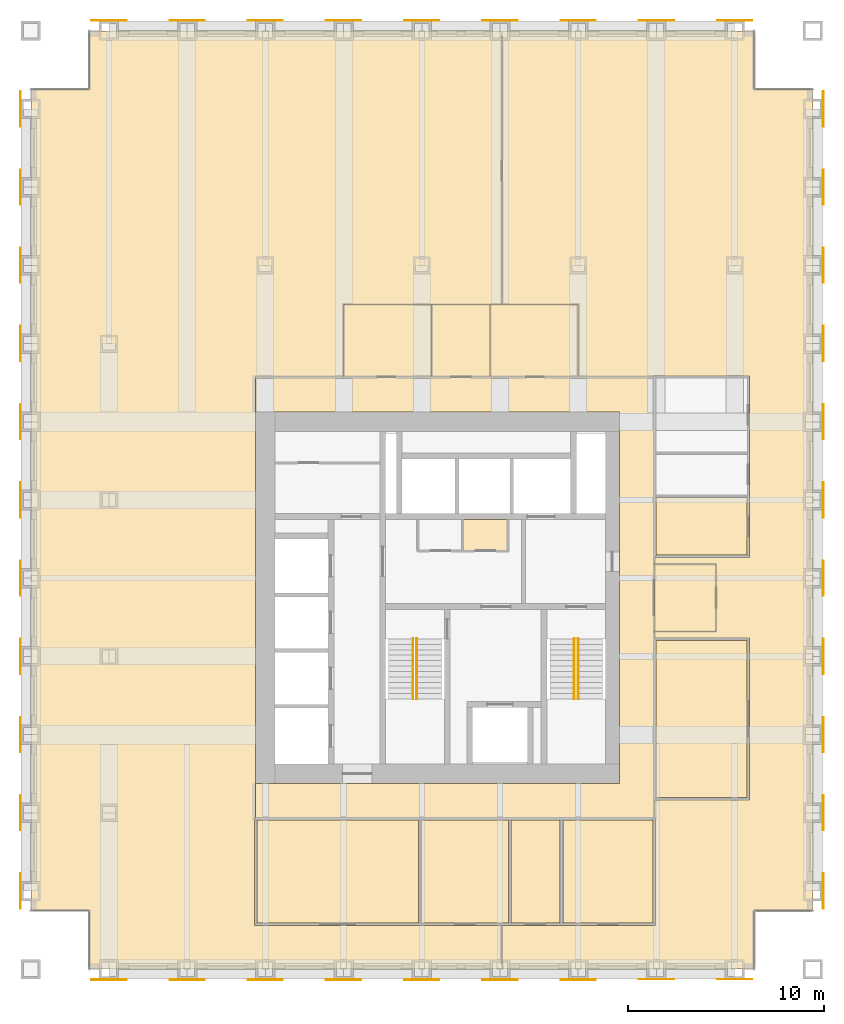
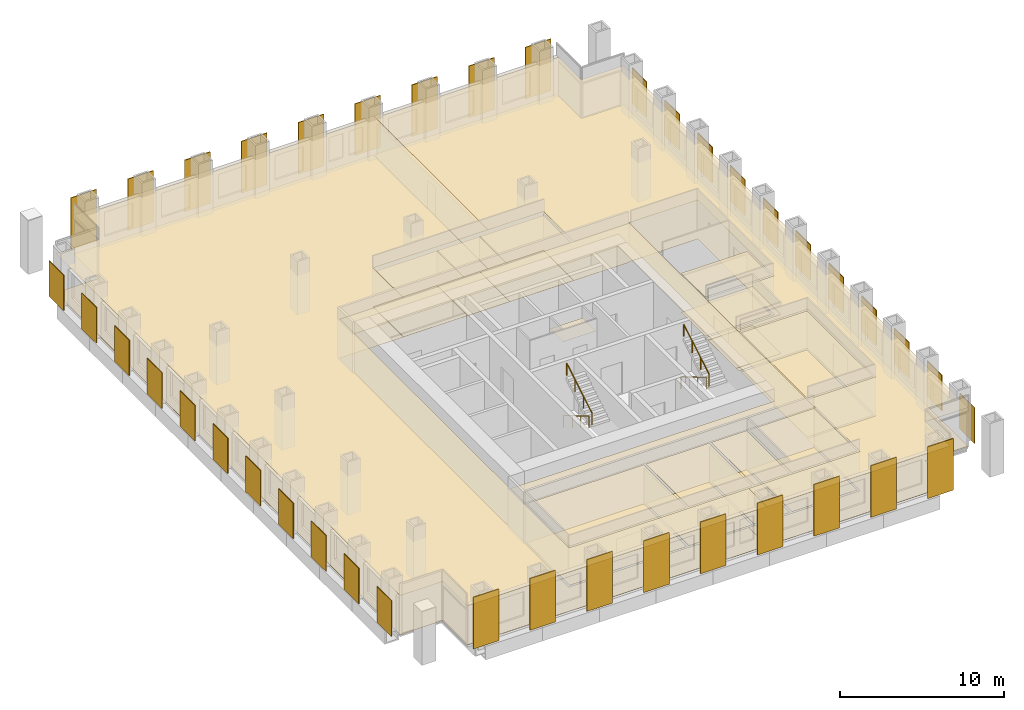
# One storey, part 13 of 13: 40 shading devices, 26 coverings, 4 railings.
"""IFC4 building model written with IfcOpenShell, lengths in metres."""

from ifc_helpers import new_model, si_unit, direction, frame, origin, origin_2d, place, context, subcontext, project, spatial, polyline, rectangle, circle, outline, extrude, material, layer, layer_set, type_object, element, save


model = new_model("IFC4")

# Units and contexts
model_context = context("Model", 3, precision=1e-05, world=origin(), true_north=direction((0.0, 1.0)))
body_context = subcontext(model_context, "Body", "Model", "MODEL_VIEW")
ifc_project = project(units=[si_unit("LENGTHUNIT", "METRE"), si_unit("AREAUNIT", "SQUARE_METRE"), si_unit("VOLUMEUNIT", "CUBIC_METRE"), si_unit("PLANEANGLEUNIT", "RADIAN"), si_unit("MASSUNIT", "GRAM", prefix="KILO")], contexts=[model_context])

# Site, building, storey
site_placement = place(None, origin())
site = spatial("IfcSite", under=ifc_project, at=site_placement, CompositionType="ELEMENT")
building_placement = place(site_placement, origin())
building = spatial("IfcBuilding", under=site, at=building_placement, Name="Rimbunsela Tower", CompositionType="ELEMENT")
storey_placement = place(building_placement, frame((0.0, 0.0, 199.800048828125)))
storey = spatial("IfcBuildingStorey", under=building, at=storey_placement, Name="L48", CompositionType="ELEMENT", Elevation=199.800048828125)

# Coverings
ifc_material_1 = material(Name="Nylon carpet tile", Category="textile")
ifc_layer_1 = layer(ifc_material_1, 0.010009765625)
ifc_layer_set_1 = layer_set([ifc_layer_1], Name="Carpet tile 10")
covering_type_1 = type_object("IfcCoveringType", Name="Carpet tile 10", PredefinedType="FLOORING", material=ifc_layer_set_1)
covering_1_placement = place(storey_placement, origin())
element("IfcCovering", 1, at=covering_1_placement, inside=storey, type_object=covering_type_1, Name="Floor finish Open office", PredefinedType="FLOORING", context=body_context, shape_type="SweptSolid", body=[
    extrude(outline(polyline([(30.10009765625, 56.0), (37.89990234375, 56.0), (43.0, 56.0), (43.0, 53.0), (46.0, 53.0), (46.0, 11.0), (43.0, 11.0), (43.0, 8.0), (37.89990234375, 8.0), (30.10009765625, 8.0), (30.10009765625, 10.25), (30.449951171875, 10.25), (30.550048828125, 10.25), (33.10009765625, 10.25), (33.199951171875, 10.25), (37.89990234375, 10.25), (37.949951171875, 10.25), (37.949951171875, 15.75), (37.89990234375, 15.75), (37.89990234375, 16.64990234375), (42.75, 16.64990234375), (42.75, 24.949951171875), (37.89990234375, 24.949951171875), (37.89990234375, 25.27490234375), (41.050048828125, 25.27490234375), (41.050048828125, 28.72509765625), (37.89990234375, 28.72509765625), (37.89990234375, 29.050048828125), (42.75, 29.050048828125), (42.75, 32.14990234375), (42.75, 32.25), (42.75, 34.35009765625), (42.75, 34.449951171875), (42.75, 38.35009765625), (37.89990234375, 38.35009765625), (37.85009765625, 38.35009765625), (37.85009765625, 38.300048828125), (34.0, 38.300048828125), (34.0, 42.0), (30.10009765625, 42.0), (30.10009765625, 56.0)])), origin(), (0.0, 0.0, 1.0), 0.010009765625),
])
covering_2_placement = place(storey_placement, origin())
element("IfcCovering", 2, at=covering_2_placement, inside=storey, type_object=covering_type_1, Name="Floor finish Open office", PredefinedType="FLOORING", context=body_context, shape_type="SweptSolid", body=[
    extrude(outline(polyline([(17.5, 8.0), (9.0, 8.0), (9.0, 11.0), (6.0, 11.0), (6.0, 53.0), (9.0, 53.0), (9.0, 56.0), (17.5, 56.0), (30.10009765625, 56.0), (30.10009765625, 42.0), (22.0, 42.0), (22.0, 38.300048828125), (17.5, 38.300048828125), (17.5, 36.5), (17.5, 17.5), (17.5, 15.75), (17.449951171875, 15.75), (17.449951171875, 10.25), (17.5, 10.25), (25.85009765625, 10.25), (25.949951171875, 10.25), (30.10009765625, 10.25), (30.10009765625, 8.0), (17.5, 8.0)])), origin(), (0.0, 0.0, 1.0), 0.010009765625),
])
covering_3_placement = place(storey_placement, origin())
element("IfcCovering", 3, at=covering_3_placement, inside=storey, type_object=covering_type_1, Name="Floor finish Reception", PredefinedType="FLOORING", context=body_context, shape_type="SweptSolid", body=[
    extrude(outline(polyline([(41.050048828125, 25.27490234375), (41.050048828125, 28.72509765625), (37.89990234375, 28.72509765625), (37.89990234375, 25.27490234375), (41.050048828125, 25.27490234375)])), origin(), (0.0, 0.0, 1.0), 0.010009765625),
])
covering_4_placement = place(storey_placement, origin())
element("IfcCovering", 4, at=covering_4_placement, inside=storey, type_object=covering_type_1, Name="Floor finish Training room", PredefinedType="FLOORING", context=body_context, shape_type="SweptSolid", body=[
    extrude(outline(polyline([(25.824951171875, 10.375), (25.824951171875, 15.625), (17.574951171875, 15.625), (17.574951171875, 10.375), (25.824951171875, 10.375)])), origin(), (0.0, 0.0, 1.0), 0.010009765625),
])
covering_5_placement = place(storey_placement, origin())
element("IfcCovering", 5, at=covering_5_placement, inside=storey, type_object=covering_type_1, Name="Floor finish Pantry", PredefinedType="FLOORING", context=body_context, shape_type="SweptSolid", body=[
    extrude(outline(polyline([(30.425048828125, 10.375), (30.425048828125, 15.625), (25.97509765625, 15.625), (25.97509765625, 10.375), (30.425048828125, 10.375)])), origin(), (0.0, 0.0, 1.0), 0.010009765625),
])
covering_6_placement = place(storey_placement, origin())
element("IfcCovering", 6, at=covering_6_placement, inside=storey, type_object=covering_type_1, Name="Floor finish Print and copy room", PredefinedType="FLOORING", context=body_context, shape_type="SweptSolid", body=[
    extrude(outline(polyline([(33.074951171875, 10.375), (33.074951171875, 15.625), (30.574951171875, 15.625), (30.574951171875, 10.375), (33.074951171875, 10.375)])), origin(), (0.0, 0.0, 1.0), 0.010009765625),
])
covering_7_placement = place(storey_placement, origin())
element("IfcCovering", 7, at=covering_7_placement, inside=storey, type_object=covering_type_1, Name="Floor finish Office", PredefinedType="FLOORING", context=body_context, shape_type="SweptSolid", body=[
    extrude(outline(polyline([(37.824951171875, 10.375), (37.824951171875, 15.625), (33.22509765625, 15.625), (33.22509765625, 10.375), (37.824951171875, 10.375)])), origin(), (0.0, 0.0, 1.0), 0.010009765625),
])
covering_8_placement = place(storey_placement, origin())
element("IfcCovering", 8, at=covering_8_placement, inside=storey, type_object=covering_type_1, Name="Floor finish Boardroom", PredefinedType="FLOORING", context=body_context, shape_type="SweptSolid", body=[
    extrude(outline(polyline([(42.625, 16.77490234375), (42.625, 24.824951171875), (37.97509765625, 24.824951171875), (37.97509765625, 16.77490234375), (42.625, 16.77490234375)])), origin(), (0.0, 0.0, 1.0), 0.010009765625),
])
covering_9_placement = place(storey_placement, origin())
element("IfcCovering", 9, at=covering_9_placement, inside=storey, type_object=covering_type_1, Name="Floor finish Office", PredefinedType="FLOORING", context=body_context, shape_type="SweptSolid", body=[
    extrude(outline(polyline([(42.625, 29.175048828125), (42.625, 32.125), (37.97509765625, 32.125), (37.97509765625, 29.175048828125), (42.625, 29.175048828125)])), origin(), (0.0, 0.0, 1.0), 0.010009765625),
])
ifc_material_2 = material(Name="Mineral fibre ceiling tile", Category="gypsum")
ifc_layer_2 = layer(ifc_material_2, 0.02001953125)
ifc_layer_set_2 = layer_set([ifc_layer_2], Name="Ceiling 600 grid")
covering_type_2 = type_object("IfcCoveringType", Name="Ceiling 600 grid", PredefinedType="CEILING", material=ifc_layer_set_2)
covering_10_placement = place(storey_placement, frame((0.0, 0.0, 2.89990234375)))
element("IfcCovering", 10, at=covering_10_placement, inside=storey, type_object=covering_type_2, Name="Ceiling IT room", PredefinedType="CEILING", context=body_context, shape_type="SweptSolid", body=[
    extrude(outline(polyline([(30.39990234375, 29.39990234375), (30.39990234375, 31.0), (28.10009765625, 31.0), (28.10009765625, 29.39990234375), (30.39990234375, 29.39990234375)])), origin(), (0.0, 0.0, 1.0), 0.02001953125),
])
covering_11_placement = place(storey_placement, frame((0.0, 0.0, 2.89990234375)))
element("IfcCovering", 11, at=covering_11_placement, inside=storey, type_object=covering_type_2, Name="Ceiling U-shaped corridor", PredefinedType="CEILING", context=body_context, shape_type="SweptSolid", body=[
    extrude(outline(polyline([(37.89990234375, 38.300048828125), (37.89990234375, 15.699951171875), (17.5, 15.699951171875), (17.5, 17.5), (36.10009765625, 17.5), (36.10009765625, 36.5), (17.5, 36.5), (17.5, 38.300048828125), (37.89990234375, 38.300048828125)])), origin(), (0.0, 0.0, 1.0), 0.02001953125),
])
covering_12_placement = place(storey_placement, frame((0.0, 0.0, 2.89990234375)))
element("IfcCovering", 12, at=covering_12_placement, inside=storey, type_object=covering_type_2, Name="Ceiling Open office", PredefinedType="CEILING", context=body_context, shape_type="SweptSolid", body=[
    extrude(outline(polyline([(30.10009765625, 56.0), (37.89990234375, 56.0), (43.0, 56.0), (43.0, 53.0), (46.0, 53.0), (46.0, 11.0), (43.0, 11.0), (43.0, 8.0), (37.89990234375, 8.0), (30.10009765625, 8.0), (30.10009765625, 10.25), (30.449951171875, 10.25), (30.550048828125, 10.25), (33.10009765625, 10.25), (33.199951171875, 10.25), (37.89990234375, 10.25), (37.949951171875, 10.25), (37.949951171875, 15.75), (37.89990234375, 15.75), (37.89990234375, 16.64990234375), (42.75, 16.64990234375), (42.75, 24.949951171875), (37.89990234375, 24.949951171875), (37.89990234375, 25.27490234375), (41.050048828125, 25.27490234375), (41.050048828125, 28.72509765625), (37.89990234375, 28.72509765625), (37.89990234375, 29.050048828125), (42.75, 29.050048828125), (42.75, 32.14990234375), (42.75, 32.25), (42.75, 34.35009765625), (42.75, 34.449951171875), (42.75, 38.35009765625), (37.89990234375, 38.35009765625), (37.85009765625, 38.35009765625), (37.85009765625, 38.300048828125), (34.0, 38.300048828125), (34.0, 42.0), (30.10009765625, 42.0), (30.10009765625, 56.0)])), origin(), (0.0, 0.0, 1.0), 0.02001953125),
])
covering_13_placement = place(storey_placement, frame((0.0, 0.0, 2.89990234375)))
element("IfcCovering", 13, at=covering_13_placement, inside=storey, type_object=covering_type_2, Name="Ceiling Open office", PredefinedType="CEILING", context=body_context, shape_type="SweptSolid", body=[
    extrude(outline(polyline([(17.5, 8.0), (9.0, 8.0), (9.0, 11.0), (6.0, 11.0), (6.0, 53.0), (9.0, 53.0), (9.0, 56.0), (17.5, 56.0), (30.10009765625, 56.0), (30.10009765625, 42.0), (22.0, 42.0), (22.0, 38.300048828125), (17.5, 38.300048828125), (17.5, 36.5), (17.5, 17.5), (17.5, 15.75), (17.449951171875, 15.75), (17.449951171875, 10.25), (17.5, 10.25), (25.85009765625, 10.25), (25.949951171875, 10.25), (30.10009765625, 10.25), (30.10009765625, 8.0), (17.5, 8.0)])), origin(), (0.0, 0.0, 1.0), 0.02001953125),
])
covering_14_placement = place(storey_placement, frame((0.0, 0.0, 2.89990234375)))
element("IfcCovering", 14, at=covering_14_placement, inside=storey, type_object=covering_type_2, Name="Ceiling Reception", PredefinedType="CEILING", context=body_context, shape_type="SweptSolid", body=[
    extrude(outline(polyline([(41.050048828125, 25.27490234375), (41.050048828125, 28.72509765625), (37.89990234375, 28.72509765625), (37.89990234375, 25.27490234375), (41.050048828125, 25.27490234375)])), origin(), (0.0, 0.0, 1.0), 0.02001953125),
])
covering_15_placement = place(storey_placement, frame((0.0, 0.0, 2.89990234375)))
element("IfcCovering", 15, at=covering_15_placement, inside=storey, type_object=covering_type_2, Name="Ceiling Training room", PredefinedType="CEILING", context=body_context, shape_type="SweptSolid", body=[
    extrude(outline(polyline([(25.824951171875, 10.375), (25.824951171875, 15.625), (17.574951171875, 15.625), (17.574951171875, 10.375), (25.824951171875, 10.375)])), origin(), (0.0, 0.0, 1.0), 0.02001953125),
])
covering_16_placement = place(storey_placement, frame((0.0, 0.0, 2.89990234375)))
element("IfcCovering", 16, at=covering_16_placement, inside=storey, type_object=covering_type_2, Name="Ceiling Pantry", PredefinedType="CEILING", context=body_context, shape_type="SweptSolid", body=[
    extrude(outline(polyline([(30.425048828125, 10.375), (30.425048828125, 15.625), (25.97509765625, 15.625), (25.97509765625, 10.375), (30.425048828125, 10.375)])), origin(), (0.0, 0.0, 1.0), 0.02001953125),
])
covering_17_placement = place(storey_placement, frame((0.0, 0.0, 2.89990234375)))
element("IfcCovering", 17, at=covering_17_placement, inside=storey, type_object=covering_type_2, Name="Ceiling Print and copy room", PredefinedType="CEILING", context=body_context, shape_type="SweptSolid", body=[
    extrude(outline(polyline([(33.074951171875, 10.375), (33.074951171875, 15.625), (30.574951171875, 15.625), (30.574951171875, 10.375), (33.074951171875, 10.375)])), origin(), (0.0, 0.0, 1.0), 0.02001953125),
])
covering_18_placement = place(storey_placement, frame((0.0, 0.0, 2.89990234375)))
element("IfcCovering", 18, at=covering_18_placement, inside=storey, type_object=covering_type_2, Name="Ceiling Office", PredefinedType="CEILING", context=body_context, shape_type="SweptSolid", body=[
    extrude(outline(polyline([(37.824951171875, 10.375), (37.824951171875, 15.625), (33.22509765625, 15.625), (33.22509765625, 10.375), (37.824951171875, 10.375)])), origin(), (0.0, 0.0, 1.0), 0.02001953125),
])
covering_19_placement = place(storey_placement, frame((0.0, 0.0, 2.89990234375)))
element("IfcCovering", 19, at=covering_19_placement, inside=storey, type_object=covering_type_2, Name="Ceiling Boardroom", PredefinedType="CEILING", context=body_context, shape_type="SweptSolid", body=[
    extrude(outline(polyline([(42.625, 16.77490234375), (42.625, 24.824951171875), (37.97509765625, 24.824951171875), (37.97509765625, 16.77490234375), (42.625, 16.77490234375)])), origin(), (0.0, 0.0, 1.0), 0.02001953125),
])
covering_20_placement = place(storey_placement, frame((0.0, 0.0, 2.89990234375)))
element("IfcCovering", 20, at=covering_20_placement, inside=storey, type_object=covering_type_2, Name="Ceiling Office", PredefinedType="CEILING", context=body_context, shape_type="SweptSolid", body=[
    extrude(outline(polyline([(42.625, 29.175048828125), (42.625, 32.125), (37.97509765625, 32.125), (37.97509765625, 29.175048828125), (42.625, 29.175048828125)])), origin(), (0.0, 0.0, 1.0), 0.02001953125),
])
ifc_material_3 = material(Name="Moisture-resistant plasterboard ceiling", Category="gypsum")
ifc_layer_3 = layer(ifc_material_3, 0.012451171875)
ifc_layer_set_3 = layer_set([ifc_layer_3], Name="Ceiling moisture-resistant board")
covering_type_3 = type_object("IfcCoveringType", Name="Ceiling moisture-resistant board", PredefinedType="CEILING", material=ifc_layer_set_3)
covering_21_placement = place(storey_placement, frame((0.0, 0.0, 2.599853515625)))
element("IfcCovering", 21, at=covering_21_placement, inside=storey, type_object=covering_type_3, Name="Ceiling Female WC", PredefinedType="CEILING", context=body_context, shape_type="SweptSolid", body=[
    extrude(outline(polyline([(26.5, 38.300048828125), (26.5, 42.0), (22.0, 42.0), (22.0, 38.300048828125), (26.5, 38.300048828125)])), origin(), (0.0, 0.0, 1.0), 0.02001953125),
])
covering_22_placement = place(storey_placement, frame((0.0, 0.0, 2.599853515625)))
element("IfcCovering", 22, at=covering_22_placement, inside=storey, type_object=covering_type_3, Name="Ceiling Accessible WC", PredefinedType="CEILING", context=body_context, shape_type="SweptSolid", body=[
    extrude(outline(polyline([(29.5, 38.300048828125), (29.5, 42.0), (26.5, 42.0), (26.5, 38.300048828125), (29.5, 38.300048828125)])), origin(), (0.0, 0.0, 1.0), 0.02001953125),
])
covering_23_placement = place(storey_placement, frame((0.0, 0.0, 2.599853515625)))
element("IfcCovering", 23, at=covering_23_placement, inside=storey, type_object=covering_type_3, Name="Ceiling Male WC", PredefinedType="CEILING", context=body_context, shape_type="SweptSolid", body=[
    extrude(outline(polyline([(34.0, 38.300048828125), (34.0, 42.0), (29.5, 42.0), (29.5, 38.300048828125), (34.0, 38.300048828125)])), origin(), (0.0, 0.0, 1.0), 0.02001953125),
])
ifc_material_4 = material(Name="Porcelain floor tile in adhesive bed", Category="ceramic")
ifc_layer_4 = layer(ifc_material_4, 0.02001953125)
ifc_layer_set_4 = layer_set([ifc_layer_4], Name="Porcelain tile 20")
covering_type_4 = type_object("IfcCoveringType", Name="Porcelain tile 20", PredefinedType="FLOORING", material=ifc_layer_set_4)
covering_24_placement = place(storey_placement, origin())
element("IfcCovering", 24, at=covering_24_placement, inside=storey, type_object=covering_type_4, Name="Floor finish Female WC", PredefinedType="FLOORING", context=body_context, shape_type="SweptSolid", body=[
    extrude(outline(polyline([(26.5, 38.300048828125), (26.5, 42.0), (22.0, 42.0), (22.0, 38.300048828125), (26.5, 38.300048828125)])), origin(), (0.0, 0.0, 1.0), 0.02001953125),
])
covering_25_placement = place(storey_placement, origin())
element("IfcCovering", 25, at=covering_25_placement, inside=storey, type_object=covering_type_4, Name="Floor finish Accessible WC", PredefinedType="FLOORING", context=body_context, shape_type="SweptSolid", body=[
    extrude(outline(polyline([(29.5, 38.300048828125), (29.5, 42.0), (26.5, 42.0), (26.5, 38.300048828125), (29.5, 38.300048828125)])), origin(), (0.0, 0.0, 1.0), 0.02001953125),
])
covering_26_placement = place(storey_placement, origin())
element("IfcCovering", 26, at=covering_26_placement, inside=storey, type_object=covering_type_4, Name="Floor finish Male WC", PredefinedType="FLOORING", context=body_context, shape_type="SweptSolid", body=[
    extrude(outline(polyline([(34.0, 38.300048828125), (34.0, 42.0), (29.5, 42.0), (29.5, 38.300048828125), (34.0, 38.300048828125)])), origin(), (0.0, 0.0, 1.0), 0.02001953125),
])

# Shading devices
ifc_material_5 = material(Name="Perforated aluminium, 35 % open area", Category="aluminium")
ifc_layer_5 = layer(ifc_material_5, 0.050048828125)
ifc_layer_set_5 = layer_set([ifc_layer_5], Name="Solar screen panel 1800")
shading_device_type = type_object("IfcShadingDeviceType", Name="Solar screen panel 1800", PredefinedType="USERDEFINED", material=ifc_layer_set_5)
for number, where, z_axis, x_axis, name in (
    (27, (10.0, 7.47509765625, 0.0), (0.0, 0.0, 1.0), (1.0, 0.0, 0.0), "Solar screen S L48"),
    (28, (14.0, 7.47509765625, 0.0), (0.0, 0.0, 1.0), (1.0, 0.0, 0.0), "Solar screen S L48"),
    (29, (18.0, 7.47509765625, 0.0), (0.0, 0.0, 1.0), (1.0, 0.0, 0.0), "Solar screen S L48"),
    (30, (22.0, 7.47509765625, 0.0), (0.0, 0.0, 1.0), (1.0, 0.0, 0.0), "Solar screen S L48"),
    (31, (26.0, 7.47509765625, 0.0), (0.0, 0.0, 1.0), (1.0, 0.0, 0.0), "Solar screen S L48"),
    (32, (30.0, 7.47509765625, 0.0), (0.0, 0.0, 1.0), (1.0, 0.0, 0.0), "Solar screen S L48"),
    (33, (34.0, 7.47509765625, 0.0), (0.0, 0.0, 1.0), (1.0, 0.0, 0.0), "Solar screen S L48"),
    (34, (38.0, 7.47509765625, 0.0), (0.0, 0.0, 1.0), (1.0, 0.0, 0.0), "Solar screen S L48"),
    (35, (42.0, 7.47509765625, 0.0), (0.0, 0.0, 1.0), (1.0, 0.0, 0.0), "Solar screen S L48"),
):
    element("IfcShadingDevice", number, at=place(storey_placement, frame(where, z_axis=z_axis, x_axis=x_axis)), inside=storey, type_object=shading_device_type, Name=name, ObjectType="SCREEN", PredefinedType="USERDEFINED", context=body_context, shape_type="SweptSolid", body=[
        extrude(rectangle(XDim=1.800048828125, YDim=0.050048828125, at=origin_2d()), origin(), (0.0, 0.0, 1.0), 3.85009765625),
    ])
for number, where, z_axis, x_axis, name in (
    (36, (46.52490234375, 12.0, 0.0), (0.0, 0.0, 1.0), (0.0, 1.0, 0.0), "Solar screen E L48"),
    (37, (46.52490234375, 16.0, 0.0), (0.0, 0.0, 1.0), (0.0, 1.0, 0.0), "Solar screen E L48"),
    (38, (46.52490234375, 20.0, 0.0), (0.0, 0.0, 1.0), (0.0, 1.0, 0.0), "Solar screen E L48"),
    (39, (46.52490234375, 24.0, 0.0), (0.0, 0.0, 1.0), (0.0, 1.0, 0.0), "Solar screen E L48"),
    (40, (46.52490234375, 28.0, 0.0), (0.0, 0.0, 1.0), (0.0, 1.0, 0.0), "Solar screen E L48"),
    (41, (46.52490234375, 32.0, 0.0), (0.0, 0.0, 1.0), (0.0, 1.0, 0.0), "Solar screen E L48"),
    (42, (46.52490234375, 36.0, 0.0), (0.0, 0.0, 1.0), (0.0, 1.0, 0.0), "Solar screen E L48"),
    (43, (46.52490234375, 40.0, 0.0), (0.0, 0.0, 1.0), (0.0, 1.0, 0.0), "Solar screen E L48"),
    (44, (46.52490234375, 44.0, 0.0), (0.0, 0.0, 1.0), (0.0, 1.0, 0.0), "Solar screen E L48"),
    (45, (46.52490234375, 48.0, 0.0), (0.0, 0.0, 1.0), (0.0, 1.0, 0.0), "Solar screen E L48"),
    (46, (46.52490234375, 52.0, 0.0), (0.0, 0.0, 1.0), (0.0, 1.0, 0.0), "Solar screen E L48"),
):
    element("IfcShadingDevice", number, at=place(storey_placement, frame(where, z_axis=z_axis, x_axis=x_axis)), inside=storey, type_object=shading_device_type, Name=name, ObjectType="SCREEN", PredefinedType="USERDEFINED", context=body_context, shape_type="SweptSolid", body=[
        extrude(rectangle(XDim=1.800048828125, YDim=0.050048828125, at=origin_2d()), origin(), (0.0, 0.0, 1.0), 2.64990234375),
    ])
for number, where, z_axis, x_axis, name in (
    (47, (10.0, 56.52490234375, 0.0), (0.0, 0.0, 1.0), (1.0, 0.0, 0.0), "Solar screen N L48"),
    (48, (14.0, 56.52490234375, 0.0), (0.0, 0.0, 1.0), (1.0, 0.0, 0.0), "Solar screen N L48"),
    (49, (18.0, 56.52490234375, 0.0), (0.0, 0.0, 1.0), (1.0, 0.0, 0.0), "Solar screen N L48"),
    (50, (22.0, 56.52490234375, 0.0), (0.0, 0.0, 1.0), (1.0, 0.0, 0.0), "Solar screen N L48"),
    (51, (26.0, 56.52490234375, 0.0), (0.0, 0.0, 1.0), (1.0, 0.0, 0.0), "Solar screen N L48"),
    (52, (30.0, 56.52490234375, 0.0), (0.0, 0.0, 1.0), (1.0, 0.0, 0.0), "Solar screen N L48"),
    (53, (34.0, 56.52490234375, 0.0), (0.0, 0.0, 1.0), (1.0, 0.0, 0.0), "Solar screen N L48"),
    (54, (38.0, 56.52490234375, 0.0), (0.0, 0.0, 1.0), (1.0, 0.0, 0.0), "Solar screen N L48"),
    (55, (42.0, 56.52490234375, 0.0), (0.0, 0.0, 1.0), (1.0, 0.0, 0.0), "Solar screen N L48"),
):
    element("IfcShadingDevice", number, at=place(storey_placement, frame(where, z_axis=z_axis, x_axis=x_axis)), inside=storey, type_object=shading_device_type, Name=name, ObjectType="SCREEN", PredefinedType="USERDEFINED", context=body_context, shape_type="SweptSolid", body=[
        extrude(rectangle(XDim=1.800048828125, YDim=0.050048828125, at=origin_2d()), origin(), (0.0, 0.0, 1.0), 3.85009765625),
    ])
for number, where, z_axis, x_axis, name in (
    (56, (5.47509765625, 12.0, 0.0), (0.0, 0.0, 1.0), (0.0, 1.0, 0.0), "Solar screen W L48"),
    (57, (5.47509765625, 16.0, 0.0), (0.0, 0.0, 1.0), (0.0, 1.0, 0.0), "Solar screen W L48"),
    (58, (5.47509765625, 20.0, 0.0), (0.0, 0.0, 1.0), (0.0, 1.0, 0.0), "Solar screen W L48"),
    (59, (5.47509765625, 24.0, 0.0), (0.0, 0.0, 1.0), (0.0, 1.0, 0.0), "Solar screen W L48"),
    (60, (5.47509765625, 28.0, 0.0), (0.0, 0.0, 1.0), (0.0, 1.0, 0.0), "Solar screen W L48"),
    (61, (5.47509765625, 32.0, 0.0), (0.0, 0.0, 1.0), (0.0, 1.0, 0.0), "Solar screen W L48"),
    (62, (5.47509765625, 36.0, 0.0), (0.0, 0.0, 1.0), (0.0, 1.0, 0.0), "Solar screen W L48"),
    (63, (5.47509765625, 40.0, 0.0), (0.0, 0.0, 1.0), (0.0, 1.0, 0.0), "Solar screen W L48"),
    (64, (5.47509765625, 44.0, 0.0), (0.0, 0.0, 1.0), (0.0, 1.0, 0.0), "Solar screen W L48"),
    (65, (5.47509765625, 48.0, 0.0), (0.0, 0.0, 1.0), (0.0, 1.0, 0.0), "Solar screen W L48"),
    (66, (5.47509765625, 52.0, 0.0), (0.0, 0.0, 1.0), (0.0, 1.0, 0.0), "Solar screen W L48"),
):
    element("IfcShadingDevice", number, at=place(storey_placement, frame(where, z_axis=z_axis, x_axis=x_axis)), inside=storey, type_object=shading_device_type, Name=name, ObjectType="SCREEN", PredefinedType="USERDEFINED", context=body_context, shape_type="SweptSolid", body=[
        extrude(rectangle(XDim=1.800048828125, YDim=0.050048828125, at=origin_2d()), origin(), (0.0, 0.0, 1.0), 2.64990234375),
    ])

# Railings
ifc_material_6 = material(Name="Stainless steel tube", Category="steel")
railing_type = type_object("IfcRailingType", Name="Stair handrail 900", PredefinedType="HANDRAIL", material=ifc_material_6)
railing_1_placement = place(storey_placement, frame((25.550048828125, 24.89990234375, 0.16650390625)))
element("IfcRailing", 67, at=railing_1_placement, inside=storey, type_object=railing_type, Name="Handrail ST-A flight 1", PredefinedType="HANDRAIL", context=body_context, shape_type="SweptSolid", body=[
    extrude(circle(Radius=0.02392578125, at=origin_2d()), frame((0.0, 0.0, 0.8759765625), z_axis=(0.0, -0.859260807169, 0.511537745687), x_axis=(1.0, 0.0, 0.0)), (0.0, 0.0, 1.0), 3.584228515625),
    extrude(circle(Radius=0.02099609375, at=origin_2d()), origin(), (0.0, 0.0, 1.0), 0.851806640625),
    extrude(circle(Radius=0.02099609375, at=origin_2d()), frame((0.0, -1.026611328125, 0.611083984375)), (0.0, 0.0, 1.0), 0.851806640625),
    extrude(circle(Radius=0.02099609375, at=origin_2d()), frame((0.0, -2.05322265625, 1.222412109375)), (0.0, 0.0, 1.0), 0.851806640625),
    extrude(circle(Radius=0.02099609375, at=origin_2d()), frame((0.0, -3.079833984375, 1.83349609375)), (0.0, 0.0, 1.0), 0.851806640625),
])
railing_2_placement = place(storey_placement, frame((25.75, 21.820068359375, 2.16650390625)))
element("IfcRailing", 68, at=railing_2_placement, inside=storey, type_object=railing_type, Name="Handrail ST-A flight 2", PredefinedType="HANDRAIL", context=body_context, shape_type="SweptSolid", body=[
    extrude(circle(Radius=0.02392578125, at=origin_2d()), frame((0.0, 0.0, 0.8759765625), z_axis=(0.0, 0.859260807169, 0.511537745687), x_axis=(-1.0, 0.0, 0.0)), (0.0, 0.0, 1.0), 3.584228515625),
    extrude(circle(Radius=0.02099609375, at=origin_2d()), origin(), (0.0, 0.0, 1.0), 0.851806640625),
    extrude(circle(Radius=0.02099609375, at=origin_2d()), frame((0.0, 1.026611328125, 0.611083984375)), (0.0, 0.0, 1.0), 0.851806640625),
    extrude(circle(Radius=0.02099609375, at=origin_2d()), frame((0.0, 2.05322265625, 1.222412109375)), (0.0, 0.0, 1.0), 0.851806640625),
    extrude(circle(Radius=0.02099609375, at=origin_2d()), frame((0.0, 3.079833984375, 1.83349609375)), (0.0, 0.0, 1.0), 0.851806640625),
])
railing_3_placement = place(storey_placement, frame((33.800048828125, 24.89990234375, 0.16650390625)))
element("IfcRailing", 69, at=railing_3_placement, inside=storey, type_object=railing_type, Name="Handrail ST-B flight 1", PredefinedType="HANDRAIL", context=body_context, shape_type="SweptSolid", body=[
    extrude(circle(Radius=0.02392578125, at=origin_2d()), frame((0.0, 0.0, 0.8759765625), z_axis=(0.0, -0.859260807169, 0.511537745687), x_axis=(1.0, 0.0, 0.0)), (0.0, 0.0, 1.0), 3.584228515625),
    extrude(circle(Radius=0.02099609375, at=origin_2d()), origin(), (0.0, 0.0, 1.0), 0.851806640625),
    extrude(circle(Radius=0.02099609375, at=origin_2d()), frame((0.0, -1.026611328125, 0.611083984375)), (0.0, 0.0, 1.0), 0.851806640625),
    extrude(circle(Radius=0.02099609375, at=origin_2d()), frame((0.0, -2.05322265625, 1.222412109375)), (0.0, 0.0, 1.0), 0.851806640625),
    extrude(circle(Radius=0.02099609375, at=origin_2d()), frame((0.0, -3.079833984375, 1.83349609375)), (0.0, 0.0, 1.0), 0.851806640625),
])
railing_4_placement = place(storey_placement, frame((34.0, 21.820068359375, 2.16650390625)))
element("IfcRailing", 70, at=railing_4_placement, inside=storey, type_object=railing_type, Name="Handrail ST-B flight 2", PredefinedType="HANDRAIL", context=body_context, shape_type="SweptSolid", body=[
    extrude(circle(Radius=0.02392578125, at=origin_2d()), frame((0.0, 0.0, 0.8759765625), z_axis=(0.0, 0.859260807169, 0.511537745687), x_axis=(-1.0, 0.0, 0.0)), (0.0, 0.0, 1.0), 3.584228515625),
    extrude(circle(Radius=0.02099609375, at=origin_2d()), origin(), (0.0, 0.0, 1.0), 0.851806640625),
    extrude(circle(Radius=0.02099609375, at=origin_2d()), frame((0.0, 1.026611328125, 0.611083984375)), (0.0, 0.0, 1.0), 0.851806640625),
    extrude(circle(Radius=0.02099609375, at=origin_2d()), frame((0.0, 2.05322265625, 1.222412109375)), (0.0, 0.0, 1.0), 0.851806640625),
    extrude(circle(Radius=0.02099609375, at=origin_2d()), frame((0.0, 3.079833984375, 1.83349609375)), (0.0, 0.0, 1.0), 0.851806640625),
])

save(model, "model.ifc")
